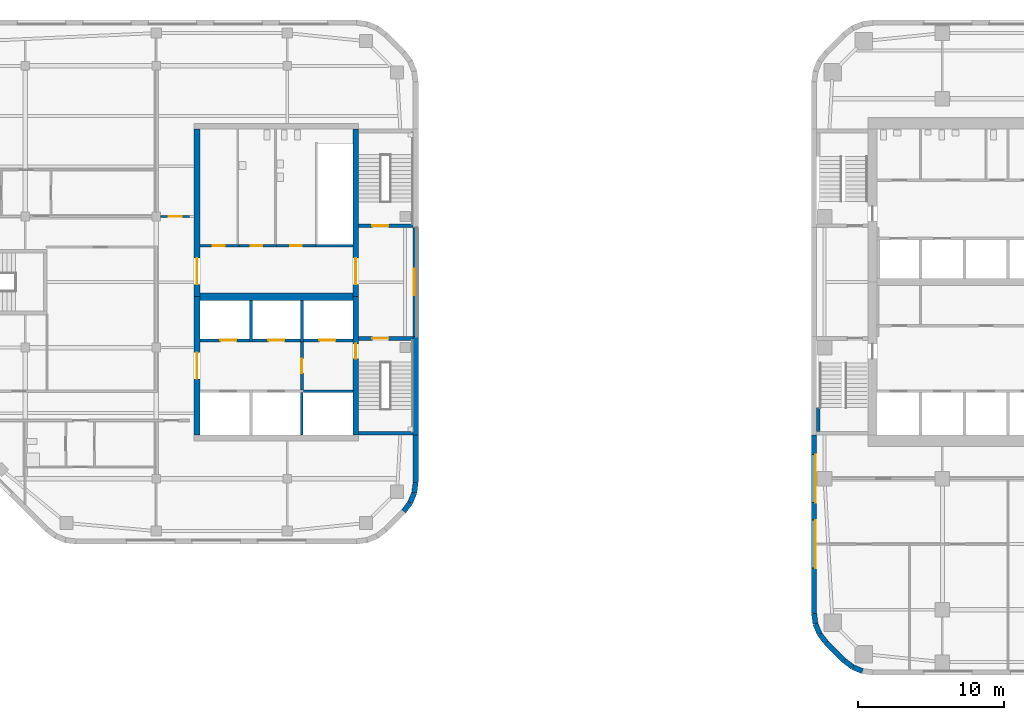
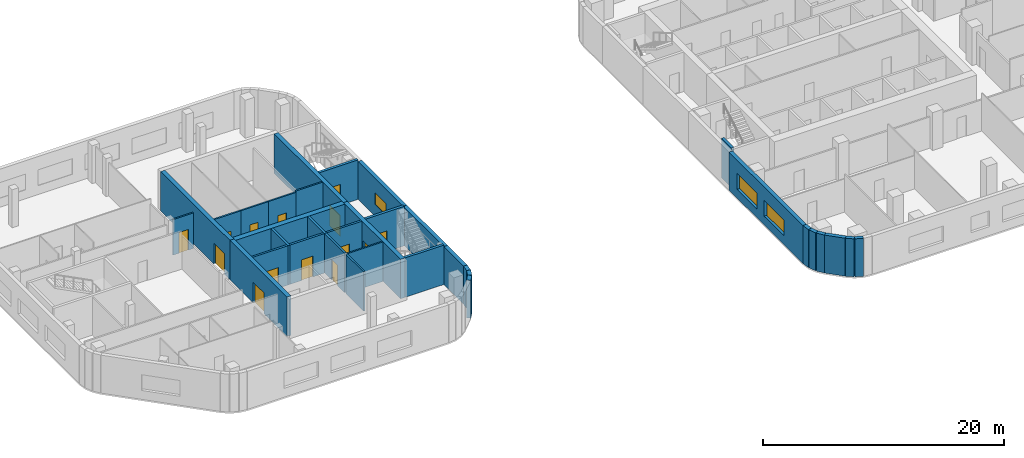
# One storey, part 6 of 14: 35 walls, 14 doors, 3 windows, 17 openings.
"""IFC4 building model written with IfcOpenShell, lengths in metres."""

from ifc_helpers import new_model, si_unit, direction, frame, frame_2d, origin, place, context, subcontext, project, spatial, rectangle, extrude, material, layer, layer_set, type_object, element, fill, save


model = new_model("IFC4")

# Units and contexts
model_context = context("Model", 3, precision=1e-05, world=origin(), true_north=direction((0.0, 1.0)))
body_context = subcontext(model_context, "Body", "Model", "MODEL_VIEW")
ifc_project = project(units=[si_unit("LENGTHUNIT", "METRE"), si_unit("AREAUNIT", "SQUARE_METRE"), si_unit("VOLUMEUNIT", "CUBIC_METRE"), si_unit("PLANEANGLEUNIT", "RADIAN"), si_unit("MASSUNIT", "GRAM", prefix="KILO")], contexts=[model_context])

# Site, building, storey
site_placement = place(None, origin())
site = spatial("IfcSite", under=ifc_project, at=site_placement, CompositionType="ELEMENT")
building_placement = place(site_placement, origin())
building = spatial("IfcBuilding", under=site, at=building_placement, Name="Cinnabar Reach Civic Tower", CompositionType="ELEMENT")
storey_placement = place(building_placement, frame((0.0, 0.0, 128.0)))
storey = spatial("IfcBuildingStorey", under=building, at=storey_placement, Name="L30", CompositionType="ELEMENT", Elevation=128.0)

# Walls
ifc_material_1 = material(Name="Facing brick with insulated backing", Category="masonry")
ifc_layer_1 = layer(ifc_material_1, 0.36)
ifc_layer_set_1 = layer_set([ifc_layer_1], Name="Brick corner wall")
wall_type_1 = type_object("IfcWallType", Name="Brick corner wall", PredefinedType="STANDARD", material=ifc_layer_set_1)
for number, where, z_axis, x_axis, name in (
    (1, (0.183, 8.7314, 0.0), (0.0, 0.0, 1.0), (0.13055608231, -0.99144092581, 0.0), "Brick corner wall"),
    (2, (0.2819, 8.0027, 0.0), (0.0, 0.0, 1.0), (0.382702709855, -0.923871547278, 0.0), "Brick corner wall"),
):
    element("IfcWall", number, at=place(storey_placement, frame(where, z_axis=z_axis, x_axis=x_axis)), inside=storey, type_object=wall_type_1, Name=name, PredefinedType="STANDARD", context=body_context, shape_type="SweptSolid", body=[
        extrude(rectangle(XDim=0.7131, YDim=0.36, at=frame_2d((0.3565, 0.0))), origin(), (0.0, 0.0, 1.0), 3.85),
    ])
for number, where, z_axis, x_axis, name in (
    (3, (0.566, 7.3245, 0.0), (0.0, 0.0, 1.0), (0.608802368033, -0.793321924995, 0.0), "Brick corner wall"),
    (4, (2.2587, 5.5002, 0.0), (0.0, 0.0, 1.0), (0.793321924995, -0.608802368033, 0.0), "Brick corner wall"),
):
    element("IfcWall", number, at=place(storey_placement, frame(where, z_axis=z_axis, x_axis=x_axis)), inside=storey, type_object=wall_type_1, Name=name, PredefinedType="STANDARD", context=body_context, shape_type="SweptSolid", body=[
        extrude(rectangle(XDim=0.7132, YDim=0.36, at=frame_2d((0.3566, 0.0))), origin(), (0.0, 0.0, 1.0), 3.85),
    ])
wall_1_placement = place(storey_placement, frame((2.8439, 5.0548, 0.0), z_axis=(0.0, 0.0, 1.0), x_axis=(0.923871547278, -0.382702709855, 0.0)))
element("IfcWall", 5, at=wall_1_placement, inside=storey, type_object=wall_type_1, Name="Brick corner wall", PredefinedType="STANDARD", context=body_context, shape_type="SweptSolid", body=[
    extrude(rectangle(XDim=0.7131, YDim=0.36, at=frame_2d((0.3565, 0.0))), origin(), (0.0, 0.0, 1.0), 3.85),
])
wall_2_placement = place(storey_placement, frame((-28.0002, 15.7587, 0.0), z_axis=(0.0, 0.0, 1.0), x_axis=(0.608802368033, 0.793321924995, 0.0)))
element("IfcWall", 6, at=wall_2_placement, inside=storey, type_object=wall_type_1, Name="Brick corner wall", PredefinedType="STANDARD", context=body_context, shape_type="SweptSolid", body=[
    extrude(rectangle(XDim=0.7132, YDim=0.36, at=frame_2d((0.3566, 0.0))), origin(), (0.0, 0.0, 1.0), 3.85),
])
for number, where, z_axis, x_axis, name in (
    (7, (-27.5548, 16.3439, 0.0), (0.0, 0.0, 1.0), (0.382702709855, 0.923871547278, 0.0), "Brick corner wall"),
    (8, (-27.2761, 17.0244, 0.0), (0.0, 0.0, 1.0), (0.13055608231, 0.99144092581, 0.0), "Brick corner wall"),
):
    element("IfcWall", number, at=place(storey_placement, frame(where, z_axis=z_axis, x_axis=x_axis)), inside=storey, type_object=wall_type_1, Name=name, PredefinedType="STANDARD", context=body_context, shape_type="SweptSolid", body=[
        extrude(rectangle(XDim=0.7131, YDim=0.36, at=frame_2d((0.3565, 0.0))), origin(), (0.0, 0.0, 1.0), 3.85),
    ])

# Wall, openings, windows
ifc_layer_2 = layer(ifc_material_1, 0.36)
ifc_layer_set_2 = layer_set([ifc_layer_2], Name="Brick pier and spandrel wall")
wall_type_2 = type_object("IfcWallType", Name="Brick pier and spandrel wall", PredefinedType="STANDARD", material=ifc_layer_set_2)
wall_3_placement = place(storey_placement, frame((0.18, 21.0, 0.0), z_axis=(0.0, 0.0, 1.0), x_axis=(0.0, -1.0, 0.0)))
wall_3 = element("IfcWall", 9, at=wall_3_placement, inside=storey, type_object=wall_type_2, Name="Brick facade wall", PredefinedType="STANDARD", context=body_context, shape_type="SweptSolid", body=[
    extrude(rectangle(XDim=12.2574, YDim=0.36, at=frame_2d((6.1287, 0.0))), origin(), (0.0, 0.0, 1.0), 3.85),
])
opening_1_placement = place(wall_3_placement, frame((1.35, 0.0, 0.9)))
opening_1 = element("IfcOpeningElement", 10, at=opening_1_placement, cuts=wall_3, Name="Opening W1653", PredefinedType="OPENING", context=body_context, shape_type="SweptSolid", body=[
    extrude(rectangle(XDim=3.3, YDim=1.6, at=frame_2d((1.65, 0.8))), frame((0.0, 0.19, 0.0), z_axis=(0.0, -1.0, 0.0), x_axis=(1.0, 0.0, 0.0)), (0.0, 0.0, 1.0), 0.38),
])
opening_2_placement = place(wall_3_placement, frame((5.85, 0.0, 0.9)))
opening_2 = element("IfcOpeningElement", 11, at=opening_2_placement, cuts=wall_3, Name="Opening W1654", PredefinedType="OPENING", context=body_context, shape_type="SweptSolid", body=[
    extrude(rectangle(XDim=3.3, YDim=1.6, at=frame_2d((1.65, 0.8))), frame((0.0, 0.19, 0.0), z_axis=(0.0, -1.0, 0.0), x_axis=(1.0, 0.0, 0.0)), (0.0, 0.0, 1.0), 0.38),
])
ifc_material_2 = material(Name="Clear double glazing in aluminium frame", Category="aluminium")
window_type_1 = type_object("IfcWindowType", Name="Deep-set window A", PartitioningType="SINGLE_PANEL", PredefinedType="WINDOW", material=ifc_material_2)
window_1_placement = place(opening_1_placement, origin())
window_1 = element("IfcWindow", 12, at=window_1_placement, inside=storey, type_object=window_type_1, Name="Window west face", OverallHeight=1.6, OverallWidth=3.3, PartitioningType="SINGLE_PANEL", PredefinedType="WINDOW", context=body_context, shape_type="SweptSolid", body=[
    extrude(rectangle(XDim=3.3, YDim=1.6, at=frame_2d((1.65, 0.8))), frame((0.0, 0.13, 0.0), z_axis=(0.0, -1.0, 0.0), x_axis=(1.0, 0.0, 0.0)), (0.0, 0.0, 1.0), 0.06),
])
fill(opening_1, window_1)
window_2_placement = place(opening_2_placement, origin())
window_2 = element("IfcWindow", 13, at=window_2_placement, inside=storey, type_object=window_type_1, Name="Window west face", OverallHeight=1.6, OverallWidth=3.3, PartitioningType="SINGLE_PANEL", PredefinedType="WINDOW", context=body_context, shape_type="SweptSolid", body=[
    extrude(rectangle(XDim=3.3, YDim=1.6, at=frame_2d((1.65, 0.8))), frame((0.0, 0.13, 0.0), z_axis=(0.0, -1.0, 0.0), x_axis=(1.0, 0.0, 0.0)), (0.0, 0.0, 1.0), 0.06),
])
fill(opening_2, window_2)

# Walls
wall_4_placement = place(storey_placement, frame((1.006, 6.7486, 0.0), z_axis=(0.0, 0.0, 1.0), x_axis=(0.707106781187, -0.707106781187, 0.0)))
element("IfcWall", 14, at=wall_4_placement, inside=storey, type_object=wall_type_2, Name="Brick facade wall", PredefinedType="STANDARD", context=body_context, shape_type="SweptSolid", body=[
    extrude(rectangle(XDim=1.7573, YDim=0.36, at=frame_2d((0.8787, 0.0))), origin(), (0.0, 0.0, 1.0), 3.85),
])
wall_5_placement = place(storey_placement, frame((-27.18, 17.7426, 0.0), z_axis=(0.0, 0.0, 1.0), x_axis=(0.0, 1.0, 0.0)))
element("IfcWall", 15, at=wall_5_placement, inside=storey, type_object=wall_type_2, Name="Brick facade wall", PredefinedType="STANDARD", context=body_context, shape_type="SweptSolid", body=[
    extrude(rectangle(XDim=3.2574, YDim=0.36, at=frame_2d((1.6287, 0.0))), origin(), (0.0, 0.0, 1.0), 3.85),
])
wall_6_placement = place(storey_placement, frame((-27.18, 21.0, 0.0), z_axis=(0.0, 0.0, 1.0), x_axis=(0.0, 1.0, 0.0)))
element("IfcWall", 16, at=wall_6_placement, inside=storey, type_object=wall_type_2, Name="Brick facade wall", PredefinedType="STANDARD", context=body_context, shape_type="SweptSolid", body=[
    extrude(rectangle(XDim=6.75, YDim=0.36, at=frame_2d((3.375, 0.0))), origin(), (0.0, 0.0, 1.0), 3.85),
])

# Wall, opening, window
wall_7_placement = place(storey_placement, frame((-27.18, 27.75, 0.0), z_axis=(0.0, 0.0, 1.0), x_axis=(0.0, 1.0, 0.0)))
wall_7 = element("IfcWall", 17, at=wall_7_placement, inside=storey, type_object=wall_type_2, Name="Brick facade wall", PredefinedType="STANDARD", context=body_context, shape_type="SweptSolid", body=[
    extrude(rectangle(XDim=7.5, YDim=0.36, at=frame_2d((3.75, 0.0))), origin(), (0.0, 0.0, 1.0), 3.85),
])
opening_3_placement = place(wall_7_placement, frame((2.85, 0.0, 1.2)))
opening_3 = element("IfcOpeningElement", 18, at=opening_3_placement, cuts=wall_7, Name="Opening W2768", PredefinedType="OPENING", context=body_context, shape_type="SweptSolid", body=[
    extrude(rectangle(XDim=1.8, YDim=1.2, at=frame_2d((0.9, 0.6))), frame((0.0, 0.19, 0.0), z_axis=(0.0, -1.0, 0.0), x_axis=(1.0, 0.0, 0.0)), (0.0, 0.0, 1.0), 0.38),
])
window_type_2 = type_object("IfcWindowType", Name="Deep-set window C", PartitioningType="SINGLE_PANEL", PredefinedType="WINDOW", material=ifc_material_2)
window_3_placement = place(opening_3_placement, origin())
window_3 = element("IfcWindow", 19, at=window_3_placement, inside=storey, type_object=window_type_2, Name="Window east face", OverallHeight=1.2, OverallWidth=1.8, PartitioningType="SINGLE_PANEL", PredefinedType="WINDOW", context=body_context, shape_type="SweptSolid", body=[
    extrude(rectangle(XDim=1.8, YDim=1.2, at=frame_2d((0.9, 0.6))), frame((0.0, 0.13, 0.0), z_axis=(0.0, -1.0, 0.0), x_axis=(1.0, 0.0, 0.0)), (0.0, 0.0, 1.0), 0.06),
])
fill(opening_3, window_3)

# Wall, opening, door
ifc_material_3 = material(Name="Concrete C60", Category="concrete")
ifc_layer_3 = layer(ifc_material_3, 0.4)
ifc_layer_set_3 = layer_set([ifc_layer_3], Name="Core wall 400 EI 180")
wall_type_3 = type_object("IfcWallType", Name="Core wall 400 EI 180", PredefinedType="SOLIDWALL", material=ifc_layer_set_3)
wall_8_placement = place(storey_placement, frame((-31.3, 21.0, 0.0), z_axis=(0.0, 0.0, 1.0), x_axis=(0.0, 1.0, 0.0)))
wall_8 = element("IfcWall", 20, at=wall_8_placement, inside=storey, type_object=wall_type_3, Name="Core wall T2 L30 E", PredefinedType="SOLIDWALL", context=body_context, shape_type="SweptSolid", body=[
    extrude(rectangle(XDim=9.5, YDim=0.4, at=frame_2d((4.75, 0.0))), origin(), (0.0, 0.0, 1.0), 4.0),
])
opening_4_placement = place(wall_8_placement, frame((5.25, 0.0, 0.0)))
opening_4 = element("IfcOpeningElement", 21, at=opening_4_placement, cuts=wall_8, Name="Opening D7075", PredefinedType="OPENING", context=body_context, shape_type="SweptSolid", body=[
    extrude(rectangle(XDim=1.0, YDim=2.1, at=frame_2d((0.5, 1.05))), frame((0.0, 0.21, 0.0), z_axis=(0.0, -1.0, 0.0), x_axis=(1.0, 0.0, 0.0)), (0.0, 0.0, 1.0), 0.42),
])
ifc_material_4 = material(Name="Steel fire door", Category="steel")
door_type_1 = type_object("IfcDoorType", Name="T2 Firefighting lobby door 1000", OperationType="SINGLE_SWING_LEFT", PredefinedType="DOOR", material=ifc_material_4)
door_1_placement = place(opening_4_placement, frame((1.0, 0.0, 0.0), z_axis=(0.0, 0.0, 1.0), x_axis=(-1.0, 0.0, 0.0)))
door_1 = element("IfcDoor", 22, at=door_1_placement, inside=storey, type_object=door_type_1, Name="T2 Firefighting lobby door D7075", OperationType="SINGLE_SWING_LEFT", OverallHeight=2.1, OverallWidth=1.0, PredefinedType="DOOR", context=body_context, shape_type="SweptSolid", body=[
    extrude(rectangle(XDim=1.0, YDim=2.1, at=frame_2d((0.5, 1.05))), frame((0.0, 0.025, 0.0), z_axis=(0.0, -1.0, 0.0), x_axis=(1.0, 0.0, 0.0)), (0.0, 0.0, 1.0), 0.05),
])
fill(opening_4, door_1)

wall_9_placement = place(storey_placement, frame((-31.3, 30.5, 0.0), z_axis=(0.0, 0.0, 1.0), x_axis=(0.0, 1.0, 0.0)))
wall_9 = element("IfcWall", 23, at=wall_9_placement, inside=storey, type_object=wall_type_3, Name="Core wall T2 L30 E2", PredefinedType="SOLIDWALL", context=body_context, shape_type="SweptSolid", body=[
    extrude(rectangle(XDim=11.5, YDim=0.4, at=frame_2d((5.75, 0.0))), origin(), (0.0, 0.0, 1.0), 4.0),
])
opening_5_placement = place(wall_9_placement, frame((0.85, 0.0, 0.0)))
opening_5 = element("IfcOpeningElement", 24, at=opening_5_placement, cuts=wall_9, Name="Opening D7078", PredefinedType="OPENING", context=body_context, shape_type="SweptSolid", body=[
    extrude(rectangle(XDim=1.8, YDim=2.1, at=frame_2d((0.9, 1.05))), frame((0.0, 0.21, 0.0), z_axis=(0.0, -1.0, 0.0), x_axis=(1.0, 0.0, 0.0)), (0.0, 0.0, 1.0), 0.42),
])
door_type_2 = type_object("IfcDoorType", Name="T2 Double door 1800", OperationType="DOUBLE_DOOR_SINGLE_SWING", PredefinedType="DOOR", material=ifc_material_4)
door_2_placement = place(opening_5_placement, origin())
door_2 = element("IfcDoor", 25, at=door_2_placement, inside=storey, type_object=door_type_2, Name="T2 Double door D7078", OperationType="DOUBLE_DOOR_SINGLE_SWING", OverallHeight=2.1, OverallWidth=1.8, PredefinedType="DOOR", context=body_context, shape_type="SweptSolid", body=[
    extrude(rectangle(XDim=1.8, YDim=2.1, at=frame_2d((0.9, 1.05))), frame((0.0, 0.025, 0.0), z_axis=(0.0, -1.0, 0.0), x_axis=(1.0, 0.0, 0.0)), (0.0, 0.0, 1.0), 0.05),
])
fill(opening_5, door_2)

wall_10_placement = place(storey_placement, frame((-42.2, 42.0, 0.0), z_axis=(0.0, 0.0, 1.0), x_axis=(0.0, -1.0, 0.0)))
wall_10 = element("IfcWall", 26, at=wall_10_placement, inside=storey, type_object=wall_type_3, Name="Core wall T2 L30 W", PredefinedType="SOLIDWALL", context=body_context, shape_type="SweptSolid", body=[
    extrude(rectangle(XDim=11.5, YDim=0.4, at=frame_2d((5.75, 0.0))), origin(), (0.0, 0.0, 1.0), 4.0),
])
opening_6_placement = place(wall_10_placement, frame((8.85, 0.0, 0.0)))
opening_6 = element("IfcOpeningElement", 27, at=opening_6_placement, cuts=wall_10, Name="Opening D7080", PredefinedType="OPENING", context=body_context, shape_type="SweptSolid", body=[
    extrude(rectangle(XDim=1.8, YDim=2.1, at=frame_2d((0.9, 1.05))), frame((0.0, 0.21, 0.0), z_axis=(0.0, -1.0, 0.0), x_axis=(1.0, 0.0, 0.0)), (0.0, 0.0, 1.0), 0.42),
])
door_3_placement = place(opening_6_placement, frame((1.8, 0.0, 0.0), z_axis=(0.0, 0.0, 1.0), x_axis=(-1.0, 0.0, 0.0)))
door_3 = element("IfcDoor", 28, at=door_3_placement, inside=storey, type_object=door_type_2, Name="T2 Double door D7080", OperationType="DOUBLE_DOOR_SINGLE_SWING", OverallHeight=2.1, OverallWidth=1.8, PredefinedType="DOOR", context=body_context, shape_type="SweptSolid", body=[
    extrude(rectangle(XDim=1.8, YDim=2.1, at=frame_2d((0.9, 1.05))), frame((0.0, 0.025, 0.0), z_axis=(0.0, -1.0, 0.0), x_axis=(1.0, 0.0, 0.0)), (0.0, 0.0, 1.0), 0.05),
])
fill(opening_6, door_3)

wall_11_placement = place(storey_placement, frame((-42.2, 30.5, 0.0), z_axis=(0.0, 0.0, 1.0), x_axis=(0.0, -1.0, 0.0)))
wall_11 = element("IfcWall", 29, at=wall_11_placement, inside=storey, type_object=wall_type_3, Name="Core wall T2 L30 W2", PredefinedType="SOLIDWALL", context=body_context, shape_type="SweptSolid", body=[
    extrude(rectangle(XDim=9.5, YDim=0.4, at=frame_2d((4.75, 0.0))), origin(), (0.0, 0.0, 1.0), 4.0),
])
opening_7_placement = place(wall_11_placement, frame((3.85, 0.0, 0.0)))
opening_7 = element("IfcOpeningElement", 30, at=opening_7_placement, cuts=wall_11, Name="Opening D7079", PredefinedType="OPENING", context=body_context, shape_type="SweptSolid", body=[
    extrude(rectangle(XDim=1.8, YDim=2.1, at=frame_2d((0.9, 1.05))), frame((0.0, 0.21, 0.0), z_axis=(0.0, -1.0, 0.0), x_axis=(1.0, 0.0, 0.0)), (0.0, 0.0, 1.0), 0.42),
])
door_4_placement = place(opening_7_placement, origin())
door_4 = element("IfcDoor", 31, at=door_4_placement, inside=storey, type_object=door_type_2, Name="T2 Double door D7079", OperationType="DOUBLE_DOOR_SINGLE_SWING", OverallHeight=2.1, OverallWidth=1.8, PredefinedType="DOOR", context=body_context, shape_type="SweptSolid", body=[
    extrude(rectangle(XDim=1.8, YDim=2.1, at=frame_2d((0.9, 1.05))), frame((0.0, 0.025, 0.0), z_axis=(0.0, -1.0, 0.0), x_axis=(1.0, 0.0, 0.0)), (0.0, 0.0, 1.0), 0.05),
])
fill(opening_7, door_4)

# Wall
ifc_layer_4 = layer(ifc_material_3, 0.5)
ifc_layer_set_4 = layer_set([ifc_layer_4], Name="Core wall 500 EI 180")
wall_type_4 = type_object("IfcWallType", Name="Core wall 500 EI 180", PredefinedType="SOLIDWALL", material=ifc_layer_set_4)
wall_12_placement = place(storey_placement, frame((-42.0, 30.5, 0.0), z_axis=(0.0, 0.0, 1.0), x_axis=(1.0, 0.0, 0.0)))
element("IfcWall", 32, at=wall_12_placement, inside=storey, type_object=wall_type_4, Name="Core spine wall T2 L30", PredefinedType="SOLIDWALL", context=body_context, shape_type="SweptSolid", body=[
    extrude(rectangle(XDim=10.5, YDim=0.5, at=frame_2d((5.25, 0.0))), origin(), (0.0, 0.0, 1.0), 4.0),
])

# Wall, opening, door
ifc_material_5 = material(Name="Gypsum board on steel studs, double layer", Category="steel")
ifc_layer_5 = layer(ifc_material_5, 0.15)
ifc_layer_set_5 = layer_set([ifc_layer_5], Name="Corridor wall 150 T2")
wall_type_5 = type_object("IfcWallType", Name="Corridor wall 150 T2", PredefinedType="PARTITIONING", material=ifc_layer_set_5)
wall_13_placement = place(storey_placement, frame((-44.7, 36.0, 0.0), z_axis=(0.0, 0.0, 1.0), x_axis=(1.0, 0.0, 0.0)))
wall_13 = element("IfcWall", 33, at=wall_13_placement, inside=storey, type_object=wall_type_5, Name="Corridor wall 1", PredefinedType="PARTITIONING", context=body_context, shape_type="SweptSolid", body=[
    extrude(rectangle(XDim=1.975, YDim=0.15, at=frame_2d((0.9875, 0.0))), origin(), (0.0, 0.0, 1.0), 3.602),
])
opening_8_placement = place(wall_13_placement, frame((0.55, 0.0, 0.0)))
opening_8 = element("IfcOpeningElement", 34, at=opening_8_placement, cuts=wall_13, Name="Opening D7084", PredefinedType="OPENING", context=body_context, shape_type="SweptSolid", body=[
    extrude(rectangle(XDim=0.9, YDim=2.1, at=frame_2d((0.45, 1.05))), frame((0.0, 0.085, 0.0), z_axis=(0.0, -1.0, 0.0), x_axis=(1.0, 0.0, 0.0)), (0.0, 0.0, 1.0), 0.17),
])
ifc_material_6 = material(Name="Timber door leaf in steel frame", Category="steel")
door_type_3 = type_object("IfcDoorType", Name="Single swing door 900 x 2100 T2", OperationType="SINGLE_SWING_LEFT", PredefinedType="DOOR", material=ifc_material_6)
door_5_placement = place(opening_8_placement, origin())
door_5 = element("IfcDoor", 35, at=door_5_placement, inside=storey, type_object=door_type_3, Name="Door D7084", OperationType="SINGLE_SWING_RIGHT", OverallHeight=2.1, OverallWidth=0.9, PredefinedType="DOOR", context=body_context, shape_type="SweptSolid", body=[
    extrude(rectangle(XDim=0.9, YDim=2.1, at=frame_2d((0.45, 1.05))), frame((0.0, 0.025, 0.0), z_axis=(0.0, -1.0, 0.0), x_axis=(1.0, 0.0, 0.0)), (0.0, 0.0, 1.0), 0.05),
])
fill(opening_8, door_5)

# Wall
ifc_layer_6 = layer(ifc_material_3, 0.25)
ifc_layer_set_6 = layer_set([ifc_layer_6], Name="Stair shaft wall 250 EI 120")
wall_type_6 = type_object("IfcWallType", Name="Stair shaft wall 250 EI 120", PredefinedType="SOLIDWALL", material=ifc_layer_set_6)
wall_14_placement = place(storey_placement, frame((-31.1, 21.125, 0.0), z_axis=(0.0, 0.0, 1.0), x_axis=(1.0, 0.0, 0.0)))
element("IfcWall", 36, at=wall_14_placement, inside=storey, type_object=wall_type_6, Name="Stair shaft wall T2-S1 L30", PredefinedType="SOLIDWALL", context=body_context, shape_type="SweptSolid", body=[
    extrude(rectangle(XDim=3.74, YDim=0.25, at=frame_2d((1.87, 0.0))), origin(), (0.0, 0.0, 1.0), 4.0),
])

# Wall, opening, door
wall_15_placement = place(storey_placement, frame((-27.36, 27.625, 0.0), z_axis=(0.0, 0.0, 1.0), x_axis=(-1.0, 0.0, 0.0)))
wall_15 = element("IfcWall", 37, at=wall_15_placement, inside=storey, type_object=wall_type_6, Name="Stair shaft wall T2-S1 L30", PredefinedType="SOLIDWALL", context=body_context, shape_type="SweptSolid", body=[
    extrude(rectangle(XDim=3.74, YDim=0.25, at=frame_2d((1.87, 0.0))), origin(), (0.0, 0.0, 1.0), 4.0),
])
opening_9_placement = place(wall_15_placement, frame((1.69, 0.0, 0.0)))
opening_9 = element("IfcOpeningElement", 38, at=opening_9_placement, cuts=wall_15, Name="Opening D7076", PredefinedType="OPENING", context=body_context, shape_type="SweptSolid", body=[
    extrude(rectangle(XDim=1.1, YDim=2.1, at=frame_2d((0.55, 1.05))), frame((0.0, 0.135, 0.0), z_axis=(0.0, -1.0, 0.0), x_axis=(1.0, 0.0, 0.0)), (0.0, 0.0, 1.0), 0.27),
])
door_type_4 = type_object("IfcDoorType", Name="T2 Stair door 1100", OperationType="SINGLE_SWING_LEFT", PredefinedType="DOOR", material=ifc_material_4)
door_6_placement = place(opening_9_placement, origin())
door_6 = element("IfcDoor", 39, at=door_6_placement, inside=storey, type_object=door_type_4, Name="T2 Stair door D7076", OperationType="SINGLE_SWING_RIGHT", OverallHeight=2.1, OverallWidth=1.1, PredefinedType="DOOR", context=body_context, shape_type="SweptSolid", body=[
    extrude(rectangle(XDim=1.1, YDim=2.1, at=frame_2d((0.55, 1.05))), frame((0.0, 0.025, 0.0), z_axis=(0.0, -1.0, 0.0), x_axis=(1.0, 0.0, 0.0)), (0.0, 0.0, 1.0), 0.05),
])
fill(opening_9, door_6)

wall_16_placement = place(storey_placement, frame((-31.1, 35.375, 0.0), z_axis=(0.0, 0.0, 1.0), x_axis=(1.0, 0.0, 0.0)))
wall_16 = element("IfcWall", 40, at=wall_16_placement, inside=storey, type_object=wall_type_6, Name="Stair shaft wall T2-S2 L30", PredefinedType="SOLIDWALL", context=body_context, shape_type="SweptSolid", body=[
    extrude(rectangle(XDim=3.74, YDim=0.25, at=frame_2d((1.87, 0.0))), origin(), (0.0, 0.0, 1.0), 4.0),
])
opening_10_placement = place(wall_16_placement, frame((0.95, 0.0, 0.0)))
opening_10 = element("IfcOpeningElement", 41, at=opening_10_placement, cuts=wall_16, Name="Opening D7077", PredefinedType="OPENING", context=body_context, shape_type="SweptSolid", body=[
    extrude(rectangle(XDim=1.1, YDim=2.1, at=frame_2d((0.55, 1.05))), frame((0.0, 0.135, 0.0), z_axis=(0.0, -1.0, 0.0), x_axis=(1.0, 0.0, 0.0)), (0.0, 0.0, 1.0), 0.27),
])
door_7_placement = place(opening_10_placement, origin())
door_7 = element("IfcDoor", 42, at=door_7_placement, inside=storey, type_object=door_type_4, Name="T2 Stair door D7077", OperationType="SINGLE_SWING_RIGHT", OverallHeight=2.1, OverallWidth=1.1, PredefinedType="DOOR", context=body_context, shape_type="SweptSolid", body=[
    extrude(rectangle(XDim=1.1, YDim=2.1, at=frame_2d((0.55, 1.05))), frame((0.0, 0.025, 0.0), z_axis=(0.0, -1.0, 0.0), x_axis=(1.0, 0.0, 0.0)), (0.0, 0.0, 1.0), 0.05),
])
fill(opening_10, door_7)

# Wall
ifc_material_7 = material(Name="Concrete C40/50", Category="concrete")
ifc_layer_7 = layer(ifc_material_7, 0.24)
ifc_layer_set_7 = layer_set([ifc_layer_7], Name="T1 landing bearer wall 240")
wall_type_7 = type_object("IfcWallType", Name="T1 landing bearer wall 240", PredefinedType="STANDARD", material=ifc_layer_set_7)
wall_17_placement = place(storey_placement, frame((0.48, 21.25, 0.0), z_axis=(0.0, 0.0, 1.0), x_axis=(0.0, 1.0, 0.0)))
element("IfcWall", 43, at=wall_17_placement, inside=storey, type_object=wall_type_7, Name="T1-S1 landing bearer wall", PredefinedType="STANDARD", context=body_context, shape_type="SweptSolid", body=[
    extrude(rectangle(XDim=1.62, YDim=0.24, at=frame_2d((0.81, 0.0))), origin(), (0.0, 0.0, 1.0), 4.0),
])

# Wall, opening, door
ifc_material_8 = material(Name="Masonry block partition", Category="masonry")
ifc_layer_8 = layer(ifc_material_8, 0.15)
ifc_layer_set_8 = layer_set([ifc_layer_8], Name="T2 Corridor wall 150")
wall_type_8 = type_object("IfcWallType", Name="T2 Corridor wall 150", PredefinedType="PARTITIONING", material=ifc_layer_set_8)
wall_18_placement = place(storey_placement, frame((-39.325, 34.0, 0.0), z_axis=(0.0, 0.0, 1.0), x_axis=(-1.0, 0.0, 0.0)))
wall_18 = element("IfcWall", 44, at=wall_18_placement, inside=storey, type_object=wall_type_8, Name="T2 Corridor wall L30 014", PredefinedType="PARTITIONING", context=body_context, shape_type="SweptSolid", body=[
    extrude(rectangle(XDim=2.675, YDim=0.15, at=frame_2d((1.3375, 0.0))), origin(), (0.0, 0.0, 1.0), 3.85),
])
opening_11_placement = place(wall_18_placement, frame((0.975, 0.0, 0.0)))
opening_11 = element("IfcOpeningElement", 45, at=opening_11_placement, cuts=wall_18, Name="Opening D7081", PredefinedType="OPENING", context=body_context, shape_type="SweptSolid", body=[
    extrude(rectangle(XDim=0.8, YDim=2.1, at=frame_2d((0.4, 1.05))), frame((0.0, 0.085, 0.0), z_axis=(0.0, -1.0, 0.0), x_axis=(1.0, 0.0, 0.0)), (0.0, 0.0, 1.0), 0.17),
])
ifc_material_9 = material(Name="Timber door leaf", Category="wood")
door_type_5 = type_object("IfcDoorType", Name="T2 Bathroom door 800", OperationType="SINGLE_SWING_LEFT", PredefinedType="DOOR", material=ifc_material_9)
door_8_placement = place(opening_11_placement, frame((0.8, 0.0, 0.0), z_axis=(0.0, 0.0, 1.0), x_axis=(-1.0, 0.0, 0.0)))
door_8 = element("IfcDoor", 46, at=door_8_placement, inside=storey, type_object=door_type_5, Name="T2 Bathroom door D7081", OperationType="SINGLE_SWING_LEFT", OverallHeight=2.1, OverallWidth=0.8, PredefinedType="DOOR", context=body_context, shape_type="SweptSolid", body=[
    extrude(rectangle(XDim=0.8, YDim=2.1, at=frame_2d((0.4, 1.05))), frame((0.0, 0.025, 0.0), z_axis=(0.0, -1.0, 0.0), x_axis=(1.0, 0.0, 0.0)), (0.0, 0.0, 1.0), 0.05),
])
fill(opening_11, door_8)

wall_19_placement = place(storey_placement, frame((-36.725, 34.0, 0.0), z_axis=(0.0, 0.0, 1.0), x_axis=(-1.0, 0.0, 0.0)))
wall_19 = element("IfcWall", 47, at=wall_19_placement, inside=storey, type_object=wall_type_8, Name="T2 Corridor wall L30 015", PredefinedType="PARTITIONING", context=body_context, shape_type="SweptSolid", body=[
    extrude(rectangle(XDim=2.6, YDim=0.15, at=frame_2d((1.3, 0.0))), origin(), (0.0, 0.0, 1.0), 3.85),
])
opening_12_placement = place(wall_19_placement, frame((0.975, 0.0, 0.0)))
opening_12 = element("IfcOpeningElement", 48, at=opening_12_placement, cuts=wall_19, Name="Opening D7082", PredefinedType="OPENING", context=body_context, shape_type="SweptSolid", body=[
    extrude(rectangle(XDim=0.8, YDim=2.1, at=frame_2d((0.4, 1.05))), frame((0.0, 0.085, 0.0), z_axis=(0.0, -1.0, 0.0), x_axis=(1.0, 0.0, 0.0)), (0.0, 0.0, 1.0), 0.17),
])
door_9_placement = place(opening_12_placement, frame((0.8, 0.0, 0.0), z_axis=(0.0, 0.0, 1.0), x_axis=(-1.0, 0.0, 0.0)))
door_9 = element("IfcDoor", 49, at=door_9_placement, inside=storey, type_object=door_type_5, Name="T2 Bathroom door D7082", OperationType="SINGLE_SWING_LEFT", OverallHeight=2.1, OverallWidth=0.8, PredefinedType="DOOR", context=body_context, shape_type="SweptSolid", body=[
    extrude(rectangle(XDim=0.8, YDim=2.1, at=frame_2d((0.4, 1.05))), frame((0.0, 0.025, 0.0), z_axis=(0.0, -1.0, 0.0), x_axis=(1.0, 0.0, 0.0)), (0.0, 0.0, 1.0), 0.05),
])
fill(opening_12, door_9)

wall_20_placement = place(storey_placement, frame((-34.075, 34.0, 0.0), z_axis=(0.0, 0.0, 1.0), x_axis=(-1.0, 0.0, 0.0)))
wall_20 = element("IfcWall", 50, at=wall_20_placement, inside=storey, type_object=wall_type_8, Name="T2 Corridor wall L30 016", PredefinedType="PARTITIONING", context=body_context, shape_type="SweptSolid", body=[
    extrude(rectangle(XDim=2.65, YDim=0.15, at=frame_2d((1.325, 0.0))), origin(), (0.0, 0.0, 1.0), 3.85),
])
opening_13_placement = place(wall_20_placement, frame((0.925, 0.0, 0.0)))
opening_13 = element("IfcOpeningElement", 51, at=opening_13_placement, cuts=wall_20, Name="Opening D7083", PredefinedType="OPENING", context=body_context, shape_type="SweptSolid", body=[
    extrude(rectangle(XDim=0.8, YDim=2.1, at=frame_2d((0.4, 1.05))), frame((0.0, 0.085, 0.0), z_axis=(0.0, -1.0, 0.0), x_axis=(1.0, 0.0, 0.0)), (0.0, 0.0, 1.0), 0.17),
])
door_10_placement = place(opening_13_placement, frame((0.8, 0.0, 0.0), z_axis=(0.0, 0.0, 1.0), x_axis=(-1.0, 0.0, 0.0)))
door_10 = element("IfcDoor", 52, at=door_10_placement, inside=storey, type_object=door_type_5, Name="T2 Bathroom door D7083", OperationType="SINGLE_SWING_LEFT", OverallHeight=2.1, OverallWidth=0.8, PredefinedType="DOOR", context=body_context, shape_type="SweptSolid", body=[
    extrude(rectangle(XDim=0.8, YDim=2.1, at=frame_2d((0.4, 1.05))), frame((0.0, 0.025, 0.0), z_axis=(0.0, -1.0, 0.0), x_axis=(1.0, 0.0, 0.0)), (0.0, 0.0, 1.0), 0.05),
])
fill(opening_13, door_10)

# Walls
ifc_material_10 = material(Name="Concrete C40", Category="concrete")
ifc_layer_9 = layer(ifc_material_10, 0.15)
ifc_layer_set_9 = layer_set([ifc_layer_9], Name="T2 Riser wall 150")
wall_type_9 = type_object("IfcWallType", Name="T2 Riser wall 150", PredefinedType="SOLIDWALL", material=ifc_layer_set_9)
wall_21_placement = place(storey_placement, frame((-35.0, 21.0, 0.0), z_axis=(0.0, 0.0, 1.0), x_axis=(0.0, 1.0, 0.0)))
element("IfcWall", 53, at=wall_21_placement, inside=storey, type_object=wall_type_9, Name="T2 Riser wall L30 010", PredefinedType="SOLIDWALL", context=body_context, shape_type="SweptSolid", body=[
    extrude(rectangle(XDim=2.9, YDim=0.15, at=frame_2d((1.45, 0.0))), origin(), (0.0, 0.0, 1.0), 4.0),
])
wall_22_placement = place(storey_placement, frame((-31.5, 24.0, 0.0), z_axis=(0.0, 0.0, 1.0), x_axis=(-1.0, 0.0, 0.0)))
element("IfcWall", 54, at=wall_22_placement, inside=storey, type_object=wall_type_9, Name="T2 Riser wall L30 011", PredefinedType="SOLIDWALL", context=body_context, shape_type="SweptSolid", body=[
    extrude(rectangle(XDim=3.4, YDim=0.15, at=frame_2d((1.7, 0.0))), origin(), (0.0, 0.0, 1.0), 4.0),
])
wall_23_placement = place(storey_placement, frame((-34.075, 34.0, 0.0), z_axis=(0.0, 0.0, 1.0), x_axis=(1.0, 0.0, 0.0)))
element("IfcWall", 55, at=wall_23_placement, inside=storey, type_object=wall_type_9, Name="T2 Riser wall L30 012", PredefinedType="SOLIDWALL", context=body_context, shape_type="SweptSolid", body=[
    extrude(rectangle(XDim=2.575, YDim=0.15, at=frame_2d((1.2875, 0.0))), origin(), (0.0, 0.0, 1.0), 4.0),
])
ifc_layer_10 = layer(ifc_material_10, 0.2)
ifc_layer_set_10 = layer_set([ifc_layer_10], Name="T2 Shaft wall 200")
wall_type_10 = type_object("IfcWallType", Name="T2 Shaft wall 200", PredefinedType="SOLIDWALL", material=ifc_layer_set_10)
wall_24_placement = place(storey_placement, frame((-38.5, 27.4, 0.0), z_axis=(0.0, 0.0, 1.0), x_axis=(0.0, 1.0, 0.0)))
element("IfcWall", 56, at=wall_24_placement, inside=storey, type_object=wall_type_10, Name="T2 Shaft wall L30 004", PredefinedType="SOLIDWALL", context=body_context, shape_type="SweptSolid", body=[
    extrude(rectangle(XDim=2.85, YDim=0.2, at=frame_2d((1.425, 0.0))), origin(), (0.0, 0.0, 1.0), 4.0),
])

# Wall, opening, door
wall_25_placement = place(storey_placement, frame((-42.0, 27.5, 0.0), z_axis=(0.0, 0.0, 1.0), x_axis=(1.0, 0.0, 0.0)))
wall_25 = element("IfcWall", 57, at=wall_25_placement, inside=storey, type_object=wall_type_10, Name="T2 Shaft wall L30 005", PredefinedType="SOLIDWALL", context=body_context, shape_type="SweptSolid", body=[
    extrude(rectangle(XDim=3.4, YDim=0.2, at=frame_2d((1.7, 0.0))), origin(), (0.0, 0.0, 1.0), 4.0),
])
opening_14_placement = place(wall_25_placement, frame((1.4, 0.0, 0.0)))
opening_14 = element("IfcOpeningElement", 58, at=opening_14_placement, cuts=wall_25, Name="Opening D7071", PredefinedType="OPENING", context=body_context, shape_type="SweptSolid", body=[
    extrude(rectangle(XDim=1.1, YDim=2.1, at=frame_2d((0.55, 1.05))), frame((0.0, 0.11, 0.0), z_axis=(0.0, -1.0, 0.0), x_axis=(1.0, 0.0, 0.0)), (0.0, 0.0, 1.0), 0.22),
])
door_type_6 = type_object("IfcDoorType", Name="T2 Lift landing door 1100", OperationType="SLIDING_TO_LEFT", PredefinedType="DOOR", material=ifc_material_4)
door_11_placement = place(opening_14_placement, origin())
door_11 = element("IfcDoor", 59, at=door_11_placement, inside=storey, type_object=door_type_6, Name="T2 Lift landing door D7071", OperationType="SLIDING_TO_LEFT", OverallHeight=2.1, OverallWidth=1.1, PredefinedType="DOOR", context=body_context, shape_type="SweptSolid", body=[
    extrude(rectangle(XDim=1.1, YDim=2.1, at=frame_2d((0.55, 1.05))), frame((0.0, 0.025, 0.0), z_axis=(0.0, -1.0, 0.0), x_axis=(1.0, 0.0, 0.0)), (0.0, 0.0, 1.0), 0.05),
])
fill(opening_14, door_11)

# Wall
wall_26_placement = place(storey_placement, frame((-35.0, 27.4, 0.0), z_axis=(0.0, 0.0, 1.0), x_axis=(0.0, 1.0, 0.0)))
element("IfcWall", 60, at=wall_26_placement, inside=storey, type_object=wall_type_10, Name="T2 Shaft wall L30 006", PredefinedType="SOLIDWALL", context=body_context, shape_type="SweptSolid", body=[
    extrude(rectangle(XDim=2.85, YDim=0.2, at=frame_2d((1.425, 0.0))), origin(), (0.0, 0.0, 1.0), 4.0),
])

# Wall, opening, door
wall_27_placement = place(storey_placement, frame((-38.4, 27.5, 0.0), z_axis=(0.0, 0.0, 1.0), x_axis=(1.0, 0.0, 0.0)))
wall_27 = element("IfcWall", 61, at=wall_27_placement, inside=storey, type_object=wall_type_10, Name="T2 Shaft wall L30 007", PredefinedType="SOLIDWALL", context=body_context, shape_type="SweptSolid", body=[
    extrude(rectangle(XDim=3.3, YDim=0.2, at=frame_2d((1.65, 0.0))), origin(), (0.0, 0.0, 1.0), 4.0),
])
opening_15_placement = place(wall_27_placement, frame((1.1, 0.0, 0.0)))
opening_15 = element("IfcOpeningElement", 62, at=opening_15_placement, cuts=wall_27, Name="Opening D7072", PredefinedType="OPENING", context=body_context, shape_type="SweptSolid", body=[
    extrude(rectangle(XDim=1.1, YDim=2.1, at=frame_2d((0.55, 1.05))), frame((0.0, 0.11, 0.0), z_axis=(0.0, -1.0, 0.0), x_axis=(1.0, 0.0, 0.0)), (0.0, 0.0, 1.0), 0.22),
])
door_12_placement = place(opening_15_placement, origin())
door_12 = element("IfcDoor", 63, at=door_12_placement, inside=storey, type_object=door_type_6, Name="T2 Lift landing door D7072", OperationType="SLIDING_TO_LEFT", OverallHeight=2.1, OverallWidth=1.1, PredefinedType="DOOR", context=body_context, shape_type="SweptSolid", body=[
    extrude(rectangle(XDim=1.1, YDim=2.1, at=frame_2d((0.55, 1.05))), frame((0.0, 0.025, 0.0), z_axis=(0.0, -1.0, 0.0), x_axis=(1.0, 0.0, 0.0)), (0.0, 0.0, 1.0), 0.05),
])
fill(opening_15, door_12)

wall_28_placement = place(storey_placement, frame((-34.9, 27.5, 0.0), z_axis=(0.0, 0.0, 1.0), x_axis=(1.0, 0.0, 0.0)))
wall_28 = element("IfcWall", 64, at=wall_28_placement, inside=storey, type_object=wall_type_10, Name="T2 Shaft wall L30 008", PredefinedType="SOLIDWALL", context=body_context, shape_type="SweptSolid", body=[
    extrude(rectangle(XDim=3.4, YDim=0.2, at=frame_2d((1.7, 0.0))), origin(), (0.0, 0.0, 1.0), 4.0),
])
opening_16_placement = place(wall_28_placement, frame((1.1, 0.0, 0.0)))
opening_16 = element("IfcOpeningElement", 65, at=opening_16_placement, cuts=wall_28, Name="Opening D7073", PredefinedType="OPENING", context=body_context, shape_type="SweptSolid", body=[
    extrude(rectangle(XDim=1.1, YDim=2.1, at=frame_2d((0.55, 1.05))), frame((0.0, 0.11, 0.0), z_axis=(0.0, -1.0, 0.0), x_axis=(1.0, 0.0, 0.0)), (0.0, 0.0, 1.0), 0.22),
])
door_type_7 = type_object("IfcDoorType", Name="T2 Firefighting lift landing door 1100", OperationType="SLIDING_TO_LEFT", PredefinedType="DOOR", material=ifc_material_4)
door_13_placement = place(opening_16_placement, origin())
door_13 = element("IfcDoor", 66, at=door_13_placement, inside=storey, type_object=door_type_7, Name="T2 Firefighting lift landing door D7073", OperationType="SLIDING_TO_LEFT", OverallHeight=2.1, OverallWidth=1.1, PredefinedType="DOOR", context=body_context, shape_type="SweptSolid", body=[
    extrude(rectangle(XDim=1.1, YDim=2.1, at=frame_2d((0.55, 1.05))), frame((0.0, 0.025, 0.0), z_axis=(0.0, -1.0, 0.0), x_axis=(1.0, 0.0, 0.0)), (0.0, 0.0, 1.0), 0.05),
])
fill(opening_16, door_13)

wall_29_placement = place(storey_placement, frame((-35.0, 24.1, 0.0), z_axis=(0.0, 0.0, 1.0), x_axis=(0.0, 1.0, 0.0)))
wall_29 = element("IfcWall", 67, at=wall_29_placement, inside=storey, type_object=wall_type_10, Name="T2 Shaft wall L30 009", PredefinedType="SOLIDWALL", context=body_context, shape_type="SweptSolid", body=[
    extrude(rectangle(XDim=3.3, YDim=0.2, at=frame_2d((1.65, 0.0))), origin(), (0.0, 0.0, 1.0), 4.0),
])
opening_17_placement = place(wall_29_placement, frame((1.15, 0.0, 0.0)))
opening_17 = element("IfcOpeningElement", 68, at=opening_17_placement, cuts=wall_29, Name="Opening D7074", PredefinedType="OPENING", context=body_context, shape_type="SweptSolid", body=[
    extrude(rectangle(XDim=1.0, YDim=2.1, at=frame_2d((0.5, 1.05))), frame((0.0, 0.11, 0.0), z_axis=(0.0, -1.0, 0.0), x_axis=(1.0, 0.0, 0.0)), (0.0, 0.0, 1.0), 0.22),
])
door_14_placement = place(opening_17_placement, origin())
door_14 = element("IfcDoor", 69, at=door_14_placement, inside=storey, type_object=door_type_1, Name="T2 Firefighting lobby door D7074", OperationType="SINGLE_SWING_LEFT", OverallHeight=2.1, OverallWidth=1.0, PredefinedType="DOOR", context=body_context, shape_type="SweptSolid", body=[
    extrude(rectangle(XDim=1.0, YDim=2.1, at=frame_2d((0.5, 1.05))), frame((0.0, 0.025, 0.0), z_axis=(0.0, -1.0, 0.0), x_axis=(1.0, 0.0, 0.0)), (0.0, 0.0, 1.0), 0.05),
])
fill(opening_17, door_14)

save(model, "model.ifc")
